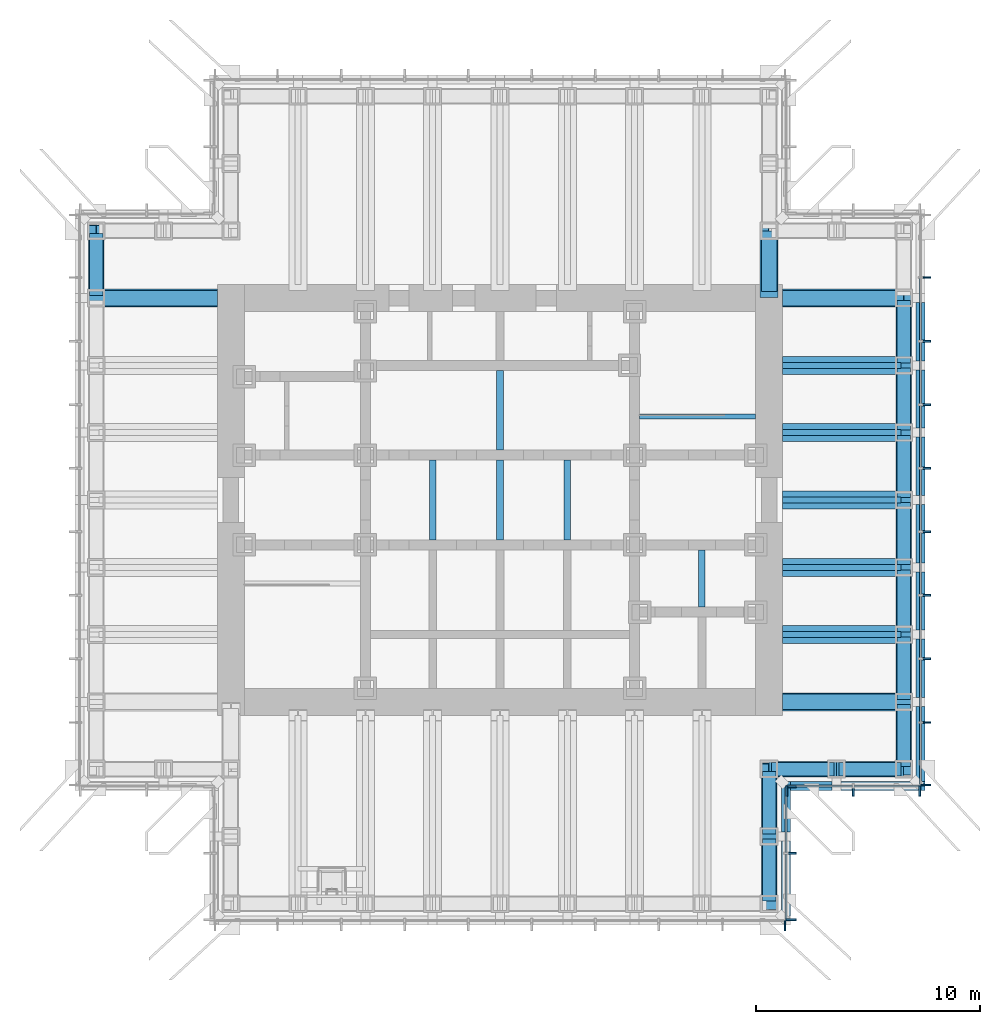
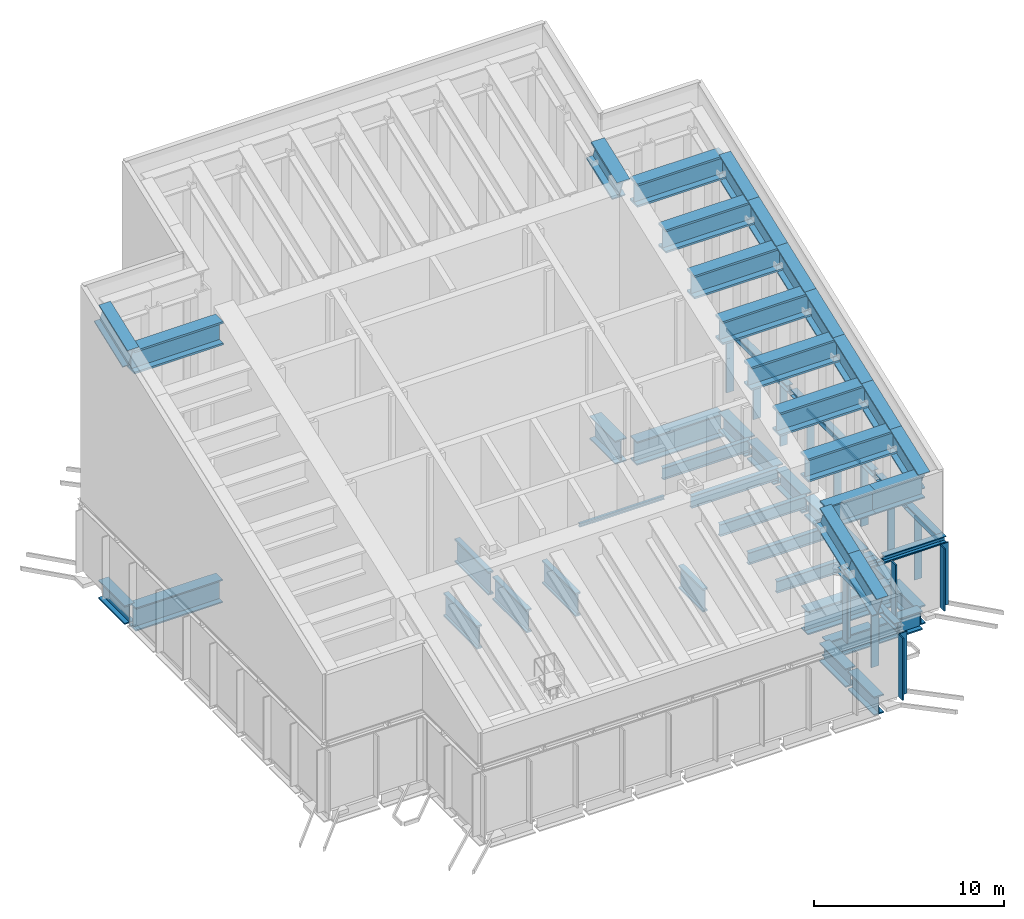
# One storey, part 5 of 15: 59 beams, 28 members, 4 elements without a shape of their own.
"""IFC4 building model written with IfcOpenShell, lengths in metres."""

from ifc_helpers import new_model, si_unit, direction, frame, origin, origin_2d, place, context, subcontext, project, spatial, rectangle, i_section, extrude, material, material_profile, profile_set, type_object, element, aggregate, save


model = new_model("IFC4")

# Units and contexts
model_context = context("Model", 3, precision=1e-05, world=origin(), true_north=direction((0.0, 1.0)))
body_context = subcontext(model_context, "Body", "Model", "MODEL_VIEW")
ifc_project = project(units=[si_unit("LENGTHUNIT", "METRE"), si_unit("AREAUNIT", "SQUARE_METRE"), si_unit("VOLUMEUNIT", "CUBIC_METRE"), si_unit("PLANEANGLEUNIT", "RADIAN"), si_unit("MASSUNIT", "GRAM", prefix="KILO")], contexts=[model_context])

# Site, building, storey
site_placement = place(None, origin())
site = spatial("IfcSite", under=ifc_project, at=site_placement, CompositionType="ELEMENT")
building_placement = place(site_placement, origin())
building = spatial("IfcBuilding", under=site, at=building_placement, Name="Daluyong Arena Tower", CompositionType="ELEMENT")
storey_placement = place(building_placement, frame((0.0, 0.0, 285.699951171875)))
storey = spatial("IfcBuildingStorey", under=building, at=storey_placement, Name="L64", CompositionType="ELEMENT", Elevation=285.699951171875)

# Curtain wall, member
ifc_material_1 = material(Name="Bronze anodised aluminium and glass", Category="aluminium")
curtain_wall_type = type_object("IfcCurtainWallType", Name="Curtain wall CW6", PredefinedType="USERDEFINED", material=ifc_material_1)
curtain_wall_1_placement = place(storey_placement, origin())
curtain_wall_1 = element("IfcCurtainWall", 1, at=curtain_wall_1_placement, inside=storey, type_object=curtain_wall_type, Name="crown louvre curtain wall L64 S", ObjectType="UNITISED CURTAIN WALL", PredefinedType="USERDEFINED")
ifc_material_2 = material(Name="Bronze anodised aluminium fin", Category="aluminium")
ifc_material_profile_1 = material_profile(ifc_material_2, rectangle(XDim=0.449951171875, YDim=0.080078125, at=origin_2d()))
ifc_profile_set_1 = profile_set([ifc_material_profile_1], Name="Bronze anodised aluminium fin")
member_type_1 = type_object("IfcMemberType", Name="CW6 bronze fin 450x80", PredefinedType="MULLION", material=ifc_profile_set_1)
member_1_placement = place(storey_placement, frame((68.7099609375, 61.02490234375, 0.0), z_axis=(0.0, 0.0, 1.0), x_axis=(0.0, 1.0, 0.0)))
member_1 = element("IfcMember", 2, at=member_1_placement, type_object=member_type_1, Name="crown louvre curtain wall L64 S fin 10", PredefinedType="MULLION", context=body_context, shape_type="SweptSolid", body=[
    extrude(rectangle(XDim=0.449951171875, YDim=0.080078125, at=origin_2d()), origin(), (0.0, 0.0, 1.0), 4.0),
])
aggregate(curtain_wall_1, [member_1])

# Curtain wall, members
curtain_wall_2_placement = place(storey_placement, origin())
curtain_wall_2 = element("IfcCurtainWall", 3, at=curtain_wall_2_placement, inside=storey, type_object=curtain_wall_type, Name="crown louvre curtain wall L64 SE-E", ObjectType="UNITISED CURTAIN WALL", PredefinedType="USERDEFINED")
member_2_placement = place(storey_placement, frame((68.97509765625, 61.2900390625, 0.0), z_axis=(0.0, 0.0, 1.0), x_axis=(-1.0, 0.0, 0.0)))
member_2 = element("IfcMember", 4, at=member_2_placement, type_object=member_type_1, Name="crown louvre curtain wall L64 SE-E fin 1", PredefinedType="MULLION", context=body_context, shape_type="SweptSolid", body=[
    extrude(rectangle(XDim=0.449951171875, YDim=0.080078125, at=origin_2d()), origin(), (0.0, 0.0, 1.0), 4.0),
])
member_3_placement = place(storey_placement, frame((68.97509765625, 64.25, 0.0), z_axis=(0.0, 0.0, 1.0), x_axis=(-1.0, 0.0, 0.0)))
member_3 = element("IfcMember", 5, at=member_3_placement, type_object=member_type_1, Name="crown louvre curtain wall L64 SE-E fin 2", PredefinedType="MULLION", context=body_context, shape_type="SweptSolid", body=[
    extrude(rectangle(XDim=0.449951171875, YDim=0.080078125, at=origin_2d()), origin(), (0.0, 0.0, 1.0), 4.0),
])
member_4_placement = place(storey_placement, frame((68.97509765625, 67.2099609375, 0.0), z_axis=(0.0, 0.0, 1.0), x_axis=(-1.0, 0.0, 0.0)))
member_4 = element("IfcMember", 6, at=member_4_placement, type_object=member_type_1, Name="crown louvre curtain wall L64 SE-E fin 3", PredefinedType="MULLION", context=body_context, shape_type="SweptSolid", body=[
    extrude(rectangle(XDim=0.449951171875, YDim=0.080078125, at=origin_2d()), origin(), (0.0, 0.0, 1.0), 4.0),
])

curtain_wall_3_placement = place(storey_placement, origin())
curtain_wall_3 = element("IfcCurtainWall", 7, at=curtain_wall_3_placement, inside=storey, type_object=curtain_wall_type, Name="crown louvre curtain wall L64 SE-S", ObjectType="UNITISED CURTAIN WALL", PredefinedType="USERDEFINED")
member_5_placement = place(storey_placement, frame((68.7900390625, 67.02490234375, 0.0), z_axis=(0.0, 0.0, 1.0), x_axis=(0.0, 1.0, 0.0)))
member_5 = element("IfcMember", 8, at=member_5_placement, type_object=member_type_1, Name="crown louvre curtain wall L64 SE-S fin 1", PredefinedType="MULLION", context=body_context, shape_type="SweptSolid", body=[
    extrude(rectangle(XDim=0.449951171875, YDim=0.080078125, at=origin_2d()), origin(), (0.0, 0.0, 1.0), 4.0),
])
member_6_placement = place(storey_placement, frame((71.75, 67.02490234375, 0.0), z_axis=(0.0, 0.0, 1.0), x_axis=(0.0, 1.0, 0.0)))
member_6 = element("IfcMember", 9, at=member_6_placement, type_object=member_type_1, Name="crown louvre curtain wall L64 SE-S fin 2", PredefinedType="MULLION", context=body_context, shape_type="SweptSolid", body=[
    extrude(rectangle(XDim=0.449951171875, YDim=0.080078125, at=origin_2d()), origin(), (0.0, 0.0, 1.0), 4.0),
])
member_7_placement = place(storey_placement, frame((74.7099609375, 67.02490234375, 0.0), z_axis=(0.0, 0.0, 1.0), x_axis=(0.0, 1.0, 0.0)))
member_7 = element("IfcMember", 10, at=member_7_placement, type_object=member_type_1, Name="crown louvre curtain wall L64 SE-S fin 3", PredefinedType="MULLION", context=body_context, shape_type="SweptSolid", body=[
    extrude(rectangle(XDim=0.449951171875, YDim=0.080078125, at=origin_2d()), origin(), (0.0, 0.0, 1.0), 4.0),
])

curtain_wall_4_placement = place(storey_placement, origin())
curtain_wall_4 = element("IfcCurtainWall", 11, at=curtain_wall_4_placement, inside=storey, type_object=curtain_wall_type, Name="crown louvre curtain wall L64 E", ObjectType="UNITISED CURTAIN WALL", PredefinedType="USERDEFINED")
member_8_placement = place(storey_placement, frame((74.97509765625, 67.2900390625, 0.0), z_axis=(0.0, 0.0, 1.0), x_axis=(-1.0, 0.0, 0.0)))
member_8 = element("IfcMember", 12, at=member_8_placement, type_object=member_type_1, Name="crown louvre curtain wall L64 E fin 1", PredefinedType="MULLION", context=body_context, shape_type="SweptSolid", body=[
    extrude(rectangle(XDim=0.449951171875, YDim=0.080078125, at=origin_2d()), origin(), (0.0, 0.0, 1.0), 4.0),
])
member_9_placement = place(storey_placement, frame((74.97509765625, 70.083251953125, 0.0), z_axis=(0.0, 0.0, 1.0), x_axis=(-1.0, 0.0, 0.0)))
member_9 = element("IfcMember", 13, at=member_9_placement, type_object=member_type_1, Name="crown louvre curtain wall L64 E fin 2", PredefinedType="MULLION", context=body_context, shape_type="SweptSolid", body=[
    extrude(rectangle(XDim=0.449951171875, YDim=0.080078125, at=origin_2d()), origin(), (0.0, 0.0, 1.0), 4.0),
])
member_10_placement = place(storey_placement, frame((74.97509765625, 72.916748046875, 0.0), z_axis=(0.0, 0.0, 1.0), x_axis=(-1.0, 0.0, 0.0)))
member_10 = element("IfcMember", 14, at=member_10_placement, type_object=member_type_1, Name="crown louvre curtain wall L64 E fin 3", PredefinedType="MULLION", context=body_context, shape_type="SweptSolid", body=[
    extrude(rectangle(XDim=0.449951171875, YDim=0.080078125, at=origin_2d()), origin(), (0.0, 0.0, 1.0), 4.0),
])
member_11_placement = place(storey_placement, frame((74.97509765625, 75.75, 0.0), z_axis=(0.0, 0.0, 1.0), x_axis=(-1.0, 0.0, 0.0)))
member_11 = element("IfcMember", 15, at=member_11_placement, type_object=member_type_1, Name="crown louvre curtain wall L64 E fin 4", PredefinedType="MULLION", context=body_context, shape_type="SweptSolid", body=[
    extrude(rectangle(XDim=0.449951171875, YDim=0.080078125, at=origin_2d()), origin(), (0.0, 0.0, 1.0), 4.0),
])
member_12_placement = place(storey_placement, frame((74.97509765625, 78.583251953125, 0.0), z_axis=(0.0, 0.0, 1.0), x_axis=(-1.0, 0.0, 0.0)))
member_12 = element("IfcMember", 16, at=member_12_placement, type_object=member_type_1, Name="crown louvre curtain wall L64 E fin 5", PredefinedType="MULLION", context=body_context, shape_type="SweptSolid", body=[
    extrude(rectangle(XDim=0.449951171875, YDim=0.080078125, at=origin_2d()), origin(), (0.0, 0.0, 1.0), 4.0),
])
member_13_placement = place(storey_placement, frame((74.97509765625, 81.416748046875, 0.0), z_axis=(0.0, 0.0, 1.0), x_axis=(-1.0, 0.0, 0.0)))
member_13 = element("IfcMember", 17, at=member_13_placement, type_object=member_type_1, Name="crown louvre curtain wall L64 E fin 6", PredefinedType="MULLION", context=body_context, shape_type="SweptSolid", body=[
    extrude(rectangle(XDim=0.449951171875, YDim=0.080078125, at=origin_2d()), origin(), (0.0, 0.0, 1.0), 4.0),
])
member_14_placement = place(storey_placement, frame((74.97509765625, 84.25, 0.0), z_axis=(0.0, 0.0, 1.0), x_axis=(-1.0, 0.0, 0.0)))
member_14 = element("IfcMember", 18, at=member_14_placement, type_object=member_type_1, Name="crown louvre curtain wall L64 E fin 7", PredefinedType="MULLION", context=body_context, shape_type="SweptSolid", body=[
    extrude(rectangle(XDim=0.449951171875, YDim=0.080078125, at=origin_2d()), origin(), (0.0, 0.0, 1.0), 4.0),
])
member_15_placement = place(storey_placement, frame((74.97509765625, 87.083251953125, 0.0), z_axis=(0.0, 0.0, 1.0), x_axis=(-1.0, 0.0, 0.0)))
member_15 = element("IfcMember", 19, at=member_15_placement, type_object=member_type_1, Name="crown louvre curtain wall L64 E fin 8", PredefinedType="MULLION", context=body_context, shape_type="SweptSolid", body=[
    extrude(rectangle(XDim=0.449951171875, YDim=0.080078125, at=origin_2d()), origin(), (0.0, 0.0, 1.0), 4.0),
])
member_16_placement = place(storey_placement, frame((74.97509765625, 89.916748046875, 0.0), z_axis=(0.0, 0.0, 1.0), x_axis=(-1.0, 0.0, 0.0)))
member_16 = element("IfcMember", 20, at=member_16_placement, type_object=member_type_1, Name="crown louvre curtain wall L64 E fin 9", PredefinedType="MULLION", context=body_context, shape_type="SweptSolid", body=[
    extrude(rectangle(XDim=0.449951171875, YDim=0.080078125, at=origin_2d()), origin(), (0.0, 0.0, 1.0), 4.0),
])

# Member
ifc_material_3 = material(Name="Bronze anodised aluminium", Category="aluminium")
ifc_material_profile_2 = material_profile(ifc_material_3, rectangle(XDim=0.080078125, YDim=0.199951171875, at=origin_2d()))
ifc_profile_set_2 = profile_set([ifc_material_profile_2], Name="Bronze anodised aluminium")
member_type_2 = type_object("IfcMemberType", Name="CW6 stack transom 200x80", PredefinedType="USERDEFINED", material=ifc_profile_set_2)
member_17_placement = place(storey_placement, frame((68.75, 61.330078125, 4.10009765625), z_axis=(0.0, 1.0, 0.0), x_axis=(-1.0, 0.0, 0.0)))
member_17 = element("IfcMember", 21, at=member_17_placement, type_object=member_type_2, Name="crown louvre curtain wall L64 SE-E transom 1", ObjectType="TRANSOM", PredefinedType="USERDEFINED", context=body_context, shape_type="SweptSolid", body=[
    extrude(rectangle(XDim=0.080078125, YDim=0.199951171875, at=origin_2d()), origin(), (0.0, 0.0, 1.0), 2.8798828125),
])

member_18_placement = place(storey_placement, frame((68.75, 64.2900390625, 4.10009765625), z_axis=(0.0, 1.0, 0.0), x_axis=(-1.0, 0.0, 0.0)))
member_18 = element("IfcMember", 22, at=member_18_placement, type_object=member_type_2, Name="crown louvre curtain wall L64 SE-E transom 2", ObjectType="TRANSOM", PredefinedType="USERDEFINED", context=body_context, shape_type="SweptSolid", body=[
    extrude(rectangle(XDim=0.080078125, YDim=0.199951171875, at=origin_2d()), origin(), (0.0, 0.0, 1.0), 2.8798828125),
])

aggregate(curtain_wall_2, [member_2, member_3, member_4, member_17, member_18])

member_19_placement = place(storey_placement, frame((68.830078125, 67.25, 4.10009765625), z_axis=(1.0, 0.0, 0.0), x_axis=(0.0, 1.0, 0.0)))
member_19 = element("IfcMember", 23, at=member_19_placement, type_object=member_type_2, Name="crown louvre curtain wall L64 SE-S transom 1", ObjectType="TRANSOM", PredefinedType="USERDEFINED", context=body_context, shape_type="SweptSolid", body=[
    extrude(rectangle(XDim=0.080078125, YDim=0.199951171875, at=origin_2d()), origin(), (0.0, 0.0, 1.0), 2.8798828125),
])

member_20_placement = place(storey_placement, frame((71.7900390625, 67.25, 4.10009765625), z_axis=(1.0, 0.0, 0.0), x_axis=(0.0, 1.0, 0.0)))
member_20 = element("IfcMember", 24, at=member_20_placement, type_object=member_type_2, Name="crown louvre curtain wall L64 SE-S transom 2", ObjectType="TRANSOM", PredefinedType="USERDEFINED", context=body_context, shape_type="SweptSolid", body=[
    extrude(rectangle(XDim=0.080078125, YDim=0.199951171875, at=origin_2d()), origin(), (0.0, 0.0, 1.0), 2.8798828125),
])

aggregate(curtain_wall_3, [member_5, member_6, member_7, member_19, member_20])

member_21_placement = place(storey_placement, frame((74.75, 67.330078125, 4.10009765625), z_axis=(0.0, 1.0, 0.0), x_axis=(-1.0, 0.0, 0.0)))
member_21 = element("IfcMember", 25, at=member_21_placement, type_object=member_type_2, Name="crown louvre curtain wall L64 E transom 1", ObjectType="TRANSOM", PredefinedType="USERDEFINED", context=body_context, shape_type="SweptSolid", body=[
    extrude(rectangle(XDim=0.080078125, YDim=0.199951171875, at=origin_2d()), origin(), (0.0, 0.0, 1.0), 2.713134765625),
])

member_22_placement = place(storey_placement, frame((74.75, 70.123291015625, 4.10009765625), z_axis=(0.0, 1.0, 0.0), x_axis=(-1.0, 0.0, 0.0)))
member_22 = element("IfcMember", 26, at=member_22_placement, type_object=member_type_2, Name="crown louvre curtain wall L64 E transom 2", ObjectType="TRANSOM", PredefinedType="USERDEFINED", context=body_context, shape_type="SweptSolid", body=[
    extrude(rectangle(XDim=0.080078125, YDim=0.199951171875, at=origin_2d()), origin(), (0.0, 0.0, 1.0), 2.75341796875),
])

member_23_placement = place(storey_placement, frame((74.75, 72.956787109375, 4.10009765625), z_axis=(0.0, 1.0, 0.0), x_axis=(-1.0, 0.0, 0.0)))
member_23 = element("IfcMember", 27, at=member_23_placement, type_object=member_type_2, Name="crown louvre curtain wall L64 E transom 3", ObjectType="TRANSOM", PredefinedType="USERDEFINED", context=body_context, shape_type="SweptSolid", body=[
    extrude(rectangle(XDim=0.080078125, YDim=0.199951171875, at=origin_2d()), origin(), (0.0, 0.0, 1.0), 2.753173828125),
])

member_24_placement = place(storey_placement, frame((74.75, 75.7900390625, 4.10009765625), z_axis=(0.0, 1.0, 0.0), x_axis=(-1.0, 0.0, 0.0)))
member_24 = element("IfcMember", 28, at=member_24_placement, type_object=member_type_2, Name="crown louvre curtain wall L64 E transom 4", ObjectType="TRANSOM", PredefinedType="USERDEFINED", context=body_context, shape_type="SweptSolid", body=[
    extrude(rectangle(XDim=0.080078125, YDim=0.199951171875, at=origin_2d()), origin(), (0.0, 0.0, 1.0), 2.753173828125),
])

member_25_placement = place(storey_placement, frame((74.75, 78.623291015625, 4.10009765625), z_axis=(0.0, 1.0, 0.0), x_axis=(-1.0, 0.0, 0.0)))
member_25 = element("IfcMember", 29, at=member_25_placement, type_object=member_type_2, Name="crown louvre curtain wall L64 E transom 5", ObjectType="TRANSOM", PredefinedType="USERDEFINED", context=body_context, shape_type="SweptSolid", body=[
    extrude(rectangle(XDim=0.080078125, YDim=0.199951171875, at=origin_2d()), origin(), (0.0, 0.0, 1.0), 2.75341796875),
])

member_26_placement = place(storey_placement, frame((74.75, 81.456787109375, 4.10009765625), z_axis=(0.0, 1.0, 0.0), x_axis=(-1.0, 0.0, 0.0)))
member_26 = element("IfcMember", 30, at=member_26_placement, type_object=member_type_2, Name="crown louvre curtain wall L64 E transom 6", ObjectType="TRANSOM", PredefinedType="USERDEFINED", context=body_context, shape_type="SweptSolid", body=[
    extrude(rectangle(XDim=0.080078125, YDim=0.199951171875, at=origin_2d()), origin(), (0.0, 0.0, 1.0), 2.753173828125),
])

member_27_placement = place(storey_placement, frame((74.75, 84.2900390625, 4.10009765625), z_axis=(0.0, 1.0, 0.0), x_axis=(-1.0, 0.0, 0.0)))
member_27 = element("IfcMember", 31, at=member_27_placement, type_object=member_type_2, Name="crown louvre curtain wall L64 E transom 7", ObjectType="TRANSOM", PredefinedType="USERDEFINED", context=body_context, shape_type="SweptSolid", body=[
    extrude(rectangle(XDim=0.080078125, YDim=0.199951171875, at=origin_2d()), origin(), (0.0, 0.0, 1.0), 2.753173828125),
])

member_28_placement = place(storey_placement, frame((74.75, 87.123291015625, 4.10009765625), z_axis=(0.0, 1.0, 0.0), x_axis=(-1.0, 0.0, 0.0)))
member_28 = element("IfcMember", 32, at=member_28_placement, type_object=member_type_2, Name="crown louvre curtain wall L64 E transom 8", ObjectType="TRANSOM", PredefinedType="USERDEFINED", context=body_context, shape_type="SweptSolid", body=[
    extrude(rectangle(XDim=0.080078125, YDim=0.199951171875, at=origin_2d()), origin(), (0.0, 0.0, 1.0), 2.75341796875),
])

aggregate(curtain_wall_4, [member_8, member_9, member_10, member_11, member_12, member_13, member_14, member_15, member_16, member_21, member_22, member_23, member_24, member_25, member_26, member_27, member_28])

# Beams
ifc_material_4 = material(Name="Steel ASTM A572 Grade 50", Category="steel")
ifc_material_profile_3 = material_profile(ifc_material_4, i_section(OverallWidth=0.699951171875, OverallDepth=1.5, WebThickness=0.04, FlangeThickness=0.08, at=origin_2d()))
ifc_profile_set_3 = profile_set([ifc_material_profile_3], Name="Steel ASTM A572 Grade 50")
beam_type_1 = type_object("IfcBeamType", Name="Core girder PG1500X700", PredefinedType="BEAM", material=ifc_profile_set_3)
for number, where, z_axis, x_axis, name in (
    (33, (73.885009765625, 71.0, -1.0), (-1.0, 0.0, 0.0), (0.0, -1.0, 0.0), "core girder CG1"),
    (34, (73.885009765625, 89.0, -1.0), (-1.0, 0.0, 0.0), (0.0, -1.0, 0.0), "core girder CG1"),
):
    element("IfcBeam", number, at=place(storey_placement, frame(where, z_axis=z_axis, x_axis=x_axis)), inside=storey, type_object=beam_type_1, Name=name, PredefinedType="BEAM", context=body_context, shape_type="SweptSolid", body=[
        extrude(i_section(OverallWidth=0.699951171875, OverallDepth=1.5, WebThickness=0.04, FlangeThickness=0.08, at=origin_2d()), origin(), (0.0, 0.0, 1.0), 5.284912109375),
    ])
beam_1_placement = place(storey_placement, frame((68.0, 92.0, -1.0), z_axis=(0.0, -1.0, 0.0), x_axis=(1.0, 0.0, 0.0)))
element("IfcBeam", 35, at=beam_1_placement, inside=storey, type_object=beam_type_1, Name="core girder CG1", PredefinedType="BEAM", context=body_context, shape_type="SweptSolid", body=[
    extrude(i_section(OverallWidth=0.699951171875, OverallDepth=1.5, WebThickness=0.04, FlangeThickness=0.08, at=origin_2d()), origin(), (0.0, 0.0, 1.0), 2.699951171875),
])
beam_2_placement = place(storey_placement, frame((38.114990234375, 89.0, -1.0), z_axis=(1.0, 0.0, 0.0), x_axis=(0.0, 1.0, 0.0)))
element("IfcBeam", 36, at=beam_2_placement, inside=storey, type_object=beam_type_1, Name="core girder CG1", PredefinedType="BEAM", context=body_context, shape_type="SweptSolid", body=[
    extrude(i_section(OverallWidth=0.699951171875, OverallDepth=1.5, WebThickness=0.04, FlangeThickness=0.08, at=origin_2d()), origin(), (0.0, 0.0, 1.0), 5.284912109375),
])
ifc_material_5 = material(Name="Steel ASTM A992 Grade 50", Category="steel")
ifc_material_profile_4 = material_profile(ifc_material_5, i_section(OverallWidth=0.398681640625, OverallDepth=0.385986328125, WebThickness=0.02099609375, FlangeThickness=0.033203125, at=origin_2d()))
ifc_profile_set_4 = profile_set([ifc_material_profile_4], Name="Steel ASTM A992 Grade 50")
beam_type_2 = type_object("IfcBeamType", Name="Crown louvre support beam W14X176", PredefinedType="BEAM", material=ifc_profile_set_4)
beam_3_placement = place(storey_placement, frame((68.75, 61.449462890625, 4.39306640625), z_axis=(0.0, 1.0, 0.0), x_axis=(-1.0, 0.0, 0.0)))
element("IfcBeam", 37, at=beam_3_placement, inside=storey, type_object=beam_type_2, Name="crown louvre support beam LS1", PredefinedType="BEAM", context=body_context, shape_type="SweptSolid", body=[
    extrude(i_section(OverallWidth=0.398681640625, OverallDepth=0.385986328125, WebThickness=0.02099609375, FlangeThickness=0.033203125, at=origin_2d()), origin(), (0.0, 0.0, 1.0), 3.35107421875),
])
beam_4_placement = place(storey_placement, frame((68.75, 65.199462890625, 4.39306640625), z_axis=(0.0, 1.0, 0.0), x_axis=(-1.0, 0.0, 0.0)))
element("IfcBeam", 38, at=beam_4_placement, inside=storey, type_object=beam_type_2, Name="crown louvre support beam LS1", PredefinedType="BEAM", context=body_context, shape_type="SweptSolid", body=[
    extrude(i_section(OverallWidth=0.398681640625, OverallDepth=0.385986328125, WebThickness=0.02099609375, FlangeThickness=0.033203125, at=origin_2d()), origin(), (0.0, 0.0, 1.0), 2.25),
])
beam_5_placement = place(storey_placement, frame((68.949462890625, 67.25, 4.39306640625), z_axis=(1.0, 0.0, 0.0), x_axis=(0.0, 1.0, 0.0)))
element("IfcBeam", 39, at=beam_5_placement, inside=storey, type_object=beam_type_2, Name="crown louvre support beam LS1", PredefinedType="BEAM", context=body_context, shape_type="SweptSolid", body=[
    extrude(i_section(OverallWidth=0.398681640625, OverallDepth=0.385986328125, WebThickness=0.02099609375, FlangeThickness=0.033203125, at=origin_2d()), origin(), (0.0, 0.0, 1.0), 1.85107421875),
])
beam_6_placement = place(storey_placement, frame((71.199462890625, 67.25, 4.39306640625), z_axis=(1.0, 0.0, 0.0), x_axis=(0.0, 1.0, 0.0)))
element("IfcBeam", 40, at=beam_6_placement, inside=storey, type_object=beam_type_2, Name="crown louvre support beam LS1", PredefinedType="BEAM", context=body_context, shape_type="SweptSolid", body=[
    extrude(i_section(OverallWidth=0.398681640625, OverallDepth=0.385986328125, WebThickness=0.02099609375, FlangeThickness=0.033203125, at=origin_2d()), origin(), (0.0, 0.0, 1.0), 3.75),
])
beam_7_placement = place(storey_placement, frame((74.75, 67.449462890625, 4.39306640625), z_axis=(0.0, 1.0, 0.0), x_axis=(-1.0, 0.0, 0.0)))
element("IfcBeam", 41, at=beam_7_placement, inside=storey, type_object=beam_type_2, Name="crown louvre support beam LS1", PredefinedType="BEAM", context=body_context, shape_type="SweptSolid", body=[
    extrude(i_section(OverallWidth=0.398681640625, OverallDepth=0.385986328125, WebThickness=0.02099609375, FlangeThickness=0.033203125, at=origin_2d()), origin(), (0.0, 0.0, 1.0), 3.35107421875),
])
for number, where, z_axis, x_axis, name in (
    (42, (74.75, 71.199462890625, 4.39306640625), (0.0, 1.0, 0.0), (-1.0, 0.0, 0.0), "crown louvre support beam LS1"),
    (43, (74.75, 74.199462890625, 4.39306640625), (0.0, 1.0, 0.0), (-1.0, 0.0, 0.0), "crown louvre support beam LS1"),
    (44, (74.75, 77.199462890625, 4.39306640625), (0.0, 1.0, 0.0), (-1.0, 0.0, 0.0), "crown louvre support beam LS1"),
    (45, (74.75, 80.199462890625, 4.39306640625), (0.0, 1.0, 0.0), (-1.0, 0.0, 0.0), "crown louvre support beam LS1"),
    (46, (74.75, 83.199462890625, 4.39306640625), (0.0, 1.0, 0.0), (-1.0, 0.0, 0.0), "crown louvre support beam LS1"),
    (47, (74.75, 86.199462890625, 4.39306640625), (0.0, 1.0, 0.0), (-1.0, 0.0, 0.0), "crown louvre support beam LS1"),
):
    element("IfcBeam", number, at=place(storey_placement, frame(where, z_axis=z_axis, x_axis=x_axis)), inside=storey, type_object=beam_type_2, Name=name, PredefinedType="BEAM", context=body_context, shape_type="SweptSolid", body=[
        extrude(i_section(OverallWidth=0.398681640625, OverallDepth=0.385986328125, WebThickness=0.02099609375, FlangeThickness=0.033203125, at=origin_2d()), origin(), (0.0, 0.0, 1.0), 2.60107421875),
    ])
ifc_material_6 = material(Name="Steel ASTM A588 Grade 50", Category="steel")
ifc_material_profile_5 = material_profile(ifc_material_6, i_section(OverallWidth=0.800048828125, OverallDepth=1.5, WebThickness=0.05, FlangeThickness=0.12, at=origin_2d()))
ifc_profile_set_5 = profile_set([ifc_material_profile_5], Name="Steel ASTM A588 Grade 50")
beam_type_3 = type_object("IfcBeamType", Name="Crown rafter PG1500X800", PredefinedType="BEAM", material=ifc_profile_set_5)
for number, where, z_axis, x_axis, name in (
    (48, (74.0, 71.0, 8.861572265625), (-1.0, 0.0, 0.0), (0.0, -1.0, 0.0), "crown rafter RR1"),
    (49, (74.0, 74.0, 9.98779296875), (-1.0, 0.0, 0.0), (0.0, -1.0, 0.0), "crown rafter RR1"),
    (50, (74.0, 77.0, 11.11376953125), (-1.0, 0.0, 0.0), (0.0, -1.0, 0.0), "crown rafter RR1"),
    (51, (74.0, 80.0, 12.23974609375), (-1.0, 0.0, 0.0), (0.0, -1.0, 0.0), "crown rafter RR1"),
    (52, (74.0, 83.0, 13.36572265625), (-1.0, 0.0, 0.0), (0.0, -1.0, 0.0), "crown rafter RR1"),
    (53, (74.0, 86.0, 14.49169921875), (-1.0, 0.0, 0.0), (0.0, -1.0, 0.0), "crown rafter RR1"),
    (54, (74.0, 89.0, 15.61767578125), (-1.0, 0.0, 0.0), (0.0, -1.0, 0.0), "crown rafter RR1"),
):
    element("IfcBeam", number, at=place(storey_placement, frame(where, z_axis=z_axis, x_axis=x_axis)), inside=storey, type_object=beam_type_3, Name=name, PredefinedType="BEAM", context=body_context, shape_type="SweptSolid", body=[
        extrude(i_section(OverallWidth=0.800048828125, OverallDepth=1.5, WebThickness=0.05, FlangeThickness=0.12, at=origin_2d()), origin(), (0.0, 0.0, 1.0), 5.39990234375),
    ])
beam_8_placement = place(storey_placement, frame((68.0, 92.0, 16.8427734375), z_axis=(0.0, -0.936221282756, -0.35141102674), x_axis=(1.0, 0.0, 0.0)))
element("IfcBeam", 55, at=beam_8_placement, inside=storey, type_object=beam_type_3, Name="crown rafter RR1", PredefinedType="BEAM", context=body_context, shape_type="SweptSolid", body=[
    extrude(i_section(OverallWidth=0.800048828125, OverallDepth=1.5, WebThickness=0.05, FlangeThickness=0.12, at=origin_2d()), origin(), (0.0, 0.0, 1.0), 2.8837890625),
])
beam_9_placement = place(storey_placement, frame((38.0, 89.0, 15.61767578125), z_axis=(1.0, 0.0, 0.0), x_axis=(0.0, 1.0, 0.0)))
element("IfcBeam", 56, at=beam_9_placement, inside=storey, type_object=beam_type_3, Name="crown rafter RR1", PredefinedType="BEAM", context=body_context, shape_type="SweptSolid", body=[
    extrude(i_section(OverallWidth=0.800048828125, OverallDepth=1.5, WebThickness=0.05, FlangeThickness=0.12, at=origin_2d()), origin(), (0.0, 0.0, 1.0), 5.39990234375),
])
ifc_material_7 = material(Name="Steel ASTM A572 Grade 50", Category="steel")
ifc_material_profile_6 = material_profile(ifc_material_7, i_section(OverallWidth=0.699951171875, OverallDepth=1.5, WebThickness=0.04, FlangeThickness=0.08, at=origin_2d()))
ifc_profile_set_6 = profile_set([ifc_material_profile_6], Name="Steel ASTM A572 Grade 50")
beam_type_4 = type_object("IfcBeamType", Name="Crown roof edge beam PG1500X700", PredefinedType="SPANDREL", material=ifc_profile_set_6)
for number, where, z_axis, x_axis, name in (
    (57, (68.0, 62.0, 5.582763671875), (0.0, 0.936228943712, 0.351390615918), (-1.0, 0.0, 0.0), "crown roof edge beam RB1"),
    (58, (68.0, 65.0, 6.708740234375), (0.0, 0.936228943712, 0.351390615918), (-1.0, 0.0, 0.0), "crown roof edge beam RB1"),
):
    element("IfcBeam", number, at=place(storey_placement, frame(where, z_axis=z_axis, x_axis=x_axis)), inside=storey, type_object=beam_type_4, Name=name, PredefinedType="SPANDREL", context=body_context, shape_type="SweptSolid", body=[
        extrude(i_section(OverallWidth=0.699951171875, OverallDepth=1.5, WebThickness=0.04, FlangeThickness=0.08, at=origin_2d()), origin(), (0.0, 0.0, 1.0), 3.204345703125),
    ])
for number, where, z_axis, x_axis, name in (
    (59, (68.0, 68.0, 7.75439453125), (1.0, 0.0, 0.0), (0.0, 1.0, 0.0), "crown roof edge beam RB1"),
    (60, (71.0, 68.0, 7.75439453125), (1.0, 0.0, 0.0), (0.0, 1.0, 0.0), "crown roof edge beam RB1"),
):
    element("IfcBeam", number, at=place(storey_placement, frame(where, z_axis=z_axis, x_axis=x_axis)), inside=storey, type_object=beam_type_4, Name=name, PredefinedType="SPANDREL", context=body_context, shape_type="SweptSolid", body=[
        extrude(i_section(OverallWidth=0.699951171875, OverallDepth=1.5, WebThickness=0.04, FlangeThickness=0.08, at=origin_2d()), origin(), (0.0, 0.0, 1.0), 3.0),
    ])
for number, where, z_axis, x_axis, name in (
    (61, (74.0, 68.0, 7.834716796875), (0.0, 0.936228943712, 0.351390615918), (-1.0, 0.0, 0.0), "crown roof edge beam RB1"),
    (62, (74.0, 71.0, 8.960693359375), (0.0, 0.936228943712, 0.351390615918), (-1.0, 0.0, 0.0), "crown roof edge beam RB1"),
    (63, (74.0, 74.0, 10.086669921875), (0.0, 0.936228943712, 0.351390615918), (-1.0, 0.0, 0.0), "crown roof edge beam RB1"),
    (64, (74.0, 77.0, 11.212646484375), (0.0, 0.936228943712, 0.351390615918), (-1.0, 0.0, 0.0), "crown roof edge beam RB1"),
    (65, (74.0, 80.0, 12.338623046875), (0.0, 0.936203876692, 0.351457396092), (-1.0, 0.0, 0.0), "crown roof edge beam RB1"),
    (66, (74.0, 83.0, 13.46484375), (0.0, 0.936228943712, 0.351390615918), (-1.0, 0.0, 0.0), "crown roof edge beam RB1"),
    (67, (74.0, 86.0, 14.5908203125), (0.0, 0.936228943712, 0.351390615918), (-1.0, 0.0, 0.0), "crown roof edge beam RB1"),
    (68, (38.0, 92.0, 16.8427734375), (0.0, -0.936228943712, -0.351390615918), (1.0, 0.0, 0.0), "crown roof edge beam RB1"),
):
    element("IfcBeam", number, at=place(storey_placement, frame(where, z_axis=z_axis, x_axis=x_axis)), inside=storey, type_object=beam_type_4, Name=name, PredefinedType="SPANDREL", context=body_context, shape_type="SweptSolid", body=[
        extrude(i_section(OverallWidth=0.699951171875, OverallDepth=1.5, WebThickness=0.04, FlangeThickness=0.08, at=origin_2d()), origin(), (0.0, 0.0, 1.0), 3.204345703125),
    ])
ifc_material_8 = material(Name="Steel ASTM A992 Grade 50", Category="steel")
ifc_material_profile_7 = material_profile(ifc_material_8, i_section(OverallWidth=0.2666015625, OverallDepth=0.761962890625, WebThickness=0.014404296875, FlangeThickness=0.021484375, at=origin_2d()))
ifc_profile_set_7 = profile_set([ifc_material_profile_7], Name="Steel ASTM A992 Grade 50")
beam_type_5 = type_object("IfcBeamType", Name="Floor beam W30X116", PredefinedType="BEAM", material=ifc_profile_set_7)
for number, where, z_axis, x_axis, name in (
    (69, (73.885009765625, 74.0, -0.630859375), (-1.0, 0.0, 0.0), (0.0, -1.0, 0.0), "floor beam FB4"),
    (70, (73.885009765625, 77.0, -0.630859375), (-1.0, 0.0, 0.0), (0.0, -1.0, 0.0), "floor beam FB4"),
    (71, (73.885009765625, 80.0, -0.630859375), (-1.0, 0.0, 0.0), (0.0, -1.0, 0.0), "floor beam FB4"),
    (72, (73.885009765625, 83.0, -0.630859375), (-1.0, 0.0, 0.0), (0.0, -1.0, 0.0), "floor beam FB4"),
    (73, (73.885009765625, 86.0, -0.630859375), (-1.0, 0.0, 0.0), (0.0, -1.0, 0.0), "floor beam FB4"),
):
    element("IfcBeam", number, at=place(storey_placement, frame(where, z_axis=z_axis, x_axis=x_axis)), inside=storey, type_object=beam_type_5, Name=name, PredefinedType="BEAM", context=body_context, shape_type="SweptSolid", body=[
        extrude(i_section(OverallWidth=0.2666015625, OverallDepth=0.761962890625, WebThickness=0.014404296875, FlangeThickness=0.021484375, at=origin_2d()), origin(), (0.0, 0.0, 1.0), 5.284912109375),
    ])
ifc_material_9 = material(Name="Steel ASTM A572 Grade 50", Category="steel")
ifc_material_profile_8 = material_profile(ifc_material_9, i_section(OverallWidth=0.300048828125, OverallDepth=1.5, WebThickness=0.04, FlangeThickness=0.1, at=origin_2d()))
ifc_profile_set_8 = profile_set([ifc_material_profile_8], Name="Steel ASTM A572 Grade 50")
beam_type_6 = type_object("IfcBeamType", Name="Lift divider beam PG1500X300", PredefinedType="BEAM", material=ifc_profile_set_8)
for number, where, z_axis, x_axis, name in (
    (74, (53.0, 78.22509765625, -1.0), (0.0, 1.0, 0.0), (-1.0, 0.0, 0.0), "lift divider beam DB2"),
    (75, (56.0, 78.22509765625, -1.0), (0.0, 1.0, 0.0), (-1.0, 0.0, 0.0), "lift divider beam DB2"),
    (76, (56.0, 82.22509765625, -1.0), (0.0, 1.0, 0.0), (-1.0, 0.0, 0.0), "lift divider beam DB2"),
    (77, (59.0, 78.22509765625, -1.0), (0.0, 1.0, 0.0), (-1.0, 0.0, 0.0), "lift divider beam DB2"),
):
    element("IfcBeam", number, at=place(storey_placement, frame(where, z_axis=z_axis, x_axis=x_axis)), inside=storey, type_object=beam_type_6, Name=name, PredefinedType="BEAM", context=body_context, shape_type="SweptSolid", body=[
        extrude(i_section(OverallWidth=0.300048828125, OverallDepth=1.5, WebThickness=0.04, FlangeThickness=0.1, at=origin_2d()), origin(), (0.0, 0.0, 1.0), 3.5498046875),
    ])
beam_10_placement = place(storey_placement, frame((65.0, 75.22509765625, -1.0), z_axis=(0.0, 1.0, 0.0), x_axis=(-1.0, 0.0, 0.0)))
element("IfcBeam", 78, at=beam_10_placement, inside=storey, type_object=beam_type_6, Name="lift divider beam DB2", PredefinedType="BEAM", context=body_context, shape_type="SweptSolid", body=[
    extrude(i_section(OverallWidth=0.300048828125, OverallDepth=1.5, WebThickness=0.04, FlangeThickness=0.1, at=origin_2d()), origin(), (0.0, 0.0, 1.0), 2.5498046875),
])
ifc_material_10 = material(Name="Steel ASTM A572 Grade 50", Category="steel")
ifc_material_profile_9 = material_profile(ifc_material_10, i_section(OverallWidth=0.60009765625, OverallDepth=1.199951171875, WebThickness=0.03, FlangeThickness=0.08, at=origin_2d()))
ifc_profile_set_9 = profile_set([ifc_material_profile_9], Name="Steel ASTM A572 Grade 50")
beam_type_7 = type_object("IfcBeamType", Name="Spandrel ZC PG1200X600", PredefinedType="SPANDREL", material=ifc_profile_set_9)
for number, where, z_axis, x_axis, name in (
    (79, (68.0, 62.114990234375, -0.849853515625), (0.0, 1.0, 0.0), (-1.0, 0.0, 0.0), "spandrel zc SB10"),
    (80, (68.0, 65.114990234375, -0.849853515625), (0.0, 1.0, 0.0), (-1.0, 0.0, 0.0), "spandrel zc SB10"),
    (81, (68.114990234375, 68.0, -0.849853515625), (1.0, 0.0, 0.0), (0.0, 1.0, 0.0), "spandrel zc SB10"),
    (82, (71.114990234375, 68.0, -0.849853515625), (1.0, 0.0, 0.0), (0.0, 1.0, 0.0), "spandrel zc SB10"),
    (83, (74.0, 68.114990234375, -0.849853515625), (0.0, 1.0, 0.0), (-1.0, 0.0, 0.0), "spandrel zc SB10"),
    (84, (74.0, 71.114990234375, -0.849853515625), (0.0, 1.0, 0.0), (-1.0, 0.0, 0.0), "spandrel zc SB10"),
    (85, (74.0, 74.114990234375, -0.849853515625), (0.0, 1.0, 0.0), (-1.0, 0.0, 0.0), "spandrel zc SB10"),
    (86, (74.0, 77.114990234375, -0.849853515625), (0.0, 1.0, 0.0), (-1.0, 0.0, 0.0), "spandrel zc SB10"),
    (87, (74.0, 80.114990234375, -0.849853515625), (0.0, 1.0, 0.0), (-1.0, 0.0, 0.0), "spandrel zc SB10"),
    (88, (74.0, 83.114990234375, -0.849853515625), (0.0, 1.0, 0.0), (-1.0, 0.0, 0.0), "spandrel zc SB10"),
    (89, (74.0, 86.114990234375, -0.849853515625), (0.0, 1.0, 0.0), (-1.0, 0.0, 0.0), "spandrel zc SB10"),
    (90, (38.0, 91.885009765625, -0.849853515625), (0.0, -1.0, 0.0), (1.0, 0.0, 0.0), "spandrel zc SB10"),
):
    element("IfcBeam", number, at=place(storey_placement, frame(where, z_axis=z_axis, x_axis=x_axis)), inside=storey, type_object=beam_type_7, Name=name, PredefinedType="SPANDREL", context=body_context, shape_type="SweptSolid", body=[
        extrude(i_section(OverallWidth=0.60009765625, OverallDepth=1.199951171875, WebThickness=0.03, FlangeThickness=0.08, at=origin_2d()), origin(), (0.0, 0.0, 1.0), 2.77001953125),
    ])
ifc_material_11 = material(Name="Steel ASTM A992 Grade 50", Category="steel")
ifc_material_profile_10 = material_profile(ifc_material_11, i_section(OverallWidth=0.203125, OverallDepth=0.203125, WebThickness=0.00732421875, FlangeThickness=0.010986328125, at=origin_2d()))
ifc_profile_set_10 = profile_set([ifc_material_profile_10], Name="Steel ASTM A992 Grade 50")
beam_type_8 = type_object("IfcBeamType", Name="Stair landing beam W8X31", PredefinedType="BEAM", material=ifc_profile_set_10)
beam_11_placement = place(storey_placement, frame((62.22509765625, 83.723388671875, -0.3515625), z_axis=(1.0, 0.0, 0.0), x_axis=(0.0, 1.0, 0.0)))
element("IfcBeam", 91, at=beam_11_placement, inside=storey, type_object=beam_type_8, Name="exit stair B landing beam", PredefinedType="BEAM", context=body_context, shape_type="SweptSolid", body=[
    extrude(i_section(OverallWidth=0.203125, OverallDepth=0.203125, WebThickness=0.00732421875, FlangeThickness=0.010986328125, at=origin_2d()), origin(), (0.0, 0.0, 1.0), 5.1748046875),
])

save(model, "model.ifc")
